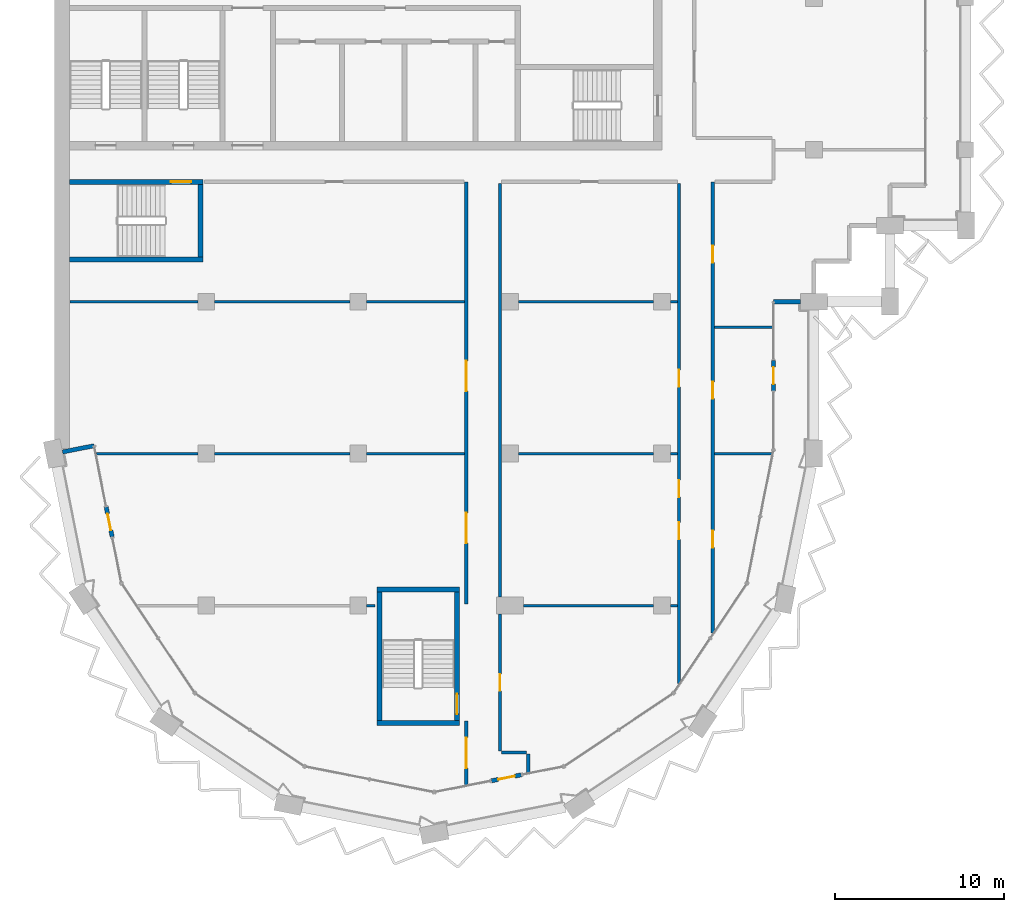
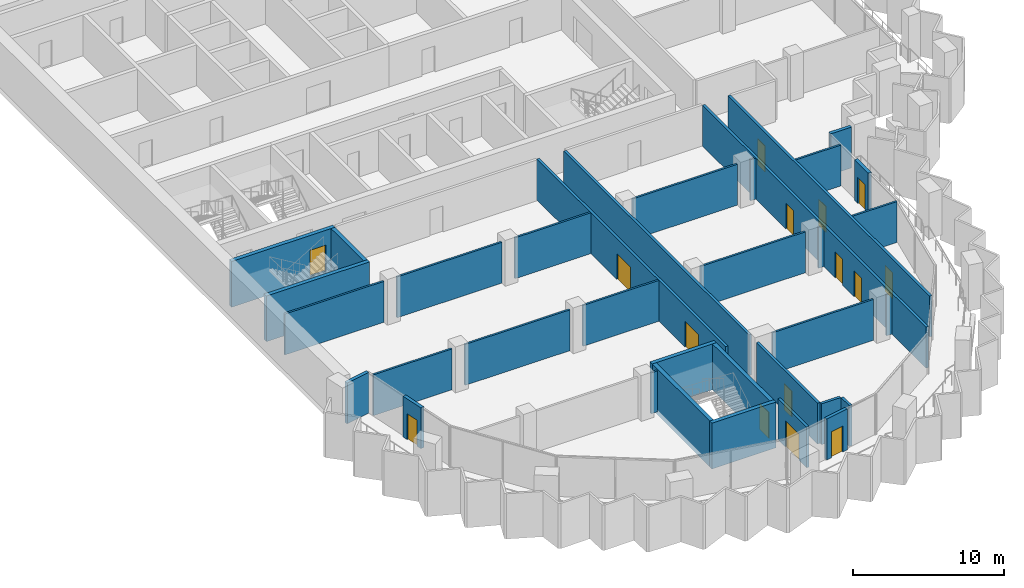
# One storey, part 7 of 16: 35 walls, 15 doors, 15 openings.
"""IFC4 building model written with IfcOpenShell, lengths in metres."""

import ifcopenshell
import ifcopenshell.guid

model = None  # the IFC model being written
_history = None  # IfcOwnerHistory: only IFC2X3 demands one
_inside = {}  # id of a spatial element -> (the spatial element, [elements in it])
_under = {}  # id of a project, library or spatial element -> (it, [spatial elements below it])
_declared = {}  # id of a project -> (the project, [libraries it declares])
_typed = {}  # id of a type object -> (the type object, [elements of that type])
_made_of = {}  # id of a material, layer set ... -> (it, [elements and type objects made of it])


def new_model(schema):
    """Start an empty IFC model of exactly this schema.

    Asked for "IFC4X3", IfcOpenShell would pick the latest addendum, in which some entities
    have other attributes; the version numbers below select the first issue.
    IFC2X3 requires an IfcOwnerHistory on every rooted entity: one is made here for all.
    """
    global model, _history
    if schema == "IFC4X3":
        model = ifcopenshell.file(schema_version=(4, 3, 0, 0))
    else:
        model = ifcopenshell.file(schema=schema)
    _inside.clear()
    _under.clear()
    _declared.clear()
    _typed.clear()
    _made_of.clear()
    _history = None
    if model.schema == "IFC2X3":
        org = make("IfcOrganization", Name="unknown")
        user = make(
            "IfcPersonAndOrganization",
            ThePerson=make("IfcPerson", FamilyName="unknown"),
            TheOrganization=org,
        )
        app = make(
            "IfcApplication",
            ApplicationDeveloper=org,
            Version="unknown",
            ApplicationFullName="unknown",
            ApplicationIdentifier="unknown",
        )
        _history = make(
            "IfcOwnerHistory",
            OwningUser=user,
            OwningApplication=app,
            ChangeAction="ADDED",
            CreationDate=0,
        )
    return model


def make(cls, **values):
    """One entity of the class cls with the attributes given. An attribute that is None is left unset."""
    return model.create_entity(
        cls, **{name: value for name, value in values.items() if value is not None}
    )


def rooted(cls, **values):
    """An entity with a GlobalId (a new one), such as an element, a storey or a relation."""
    return make(cls, GlobalId=ifcopenshell.guid.new(), OwnerHistory=_history, **values)


def si_unit(unit_type, name, prefix=None):
    """IfcSIUnit, for example si_unit("LENGTHUNIT", "METRE", prefix="MILLI")."""
    return make("IfcSIUnit", UnitType=unit_type, Prefix=prefix, Name=name)


def assignment(units):
    """IfcUnitAssignment: the units of a project."""
    return None if units is None else make("IfcUnitAssignment", Units=units)


def point(xyz):
    """IfcCartesianPoint."""
    return None if xyz is None else make("IfcCartesianPoint", Coordinates=xyz)


def direction(xyz):
    """IfcDirection."""
    return None if xyz is None else make("IfcDirection", DirectionRatios=xyz)


def frame(location, z_axis=None, x_axis=None):
    """IfcAxis2Placement3D, a coordinate frame: its origin and axes. An axis left out is left unset."""
    return make(
        "IfcAxis2Placement3D",
        Location=point(location),
        Axis=direction(z_axis),
        RefDirection=direction(x_axis),
    )


def frame_2d(location, x_axis=None):
    """IfcAxis2Placement2D, a coordinate frame in the plane: its origin and x axis."""
    return make(
        "IfcAxis2Placement2D", Location=point(location), RefDirection=direction(x_axis)
    )


def origin():
    """The frame at (0, 0, 0) with its axes left unset."""
    return frame((0.0, 0.0, 0.0))


def place(relative_to, where):
    """IfcLocalPlacement: puts the frame where relative to a parent placement (None: the world)."""
    return make(
        "IfcLocalPlacement", PlacementRelTo=relative_to, RelativePlacement=where
    )


def context(
    kind, dimensions, precision=None, world=None, true_north=None, identifier=None
):
    """IfcGeometricRepresentationContext, for example the 3D "Model" context."""
    return make(
        "IfcGeometricRepresentationContext",
        ContextIdentifier=identifier,
        ContextType=kind,
        CoordinateSpaceDimension=dimensions,
        Precision=precision,
        WorldCoordinateSystem=world,
        TrueNorth=true_north,
    )


def subcontext(parent, identifier, kind, view, scale=None):
    """IfcGeometricRepresentationSubContext, for example "Body" below "Model"."""
    return make(
        "IfcGeometricRepresentationSubContext",
        ContextIdentifier=identifier,
        ContextType=kind,
        ParentContext=parent,
        TargetScale=scale,
        TargetView=view,
    )


def project(units=None, contexts=None):
    """IfcProject with its units and contexts."""
    return rooted(
        "IfcProject",
        Name="project",
        RepresentationContexts=contexts,
        UnitsInContext=assignment(units),
    )


def spatial(cls, under=None, at=None, **own):
    """A site, building, storey or space (cls), placed at a placement, below another one or the project."""
    s = rooted(cls, ObjectPlacement=at, **own)
    if under is not None:
        _under.setdefault(under.id(), (under, []))[1].append(s)
    return s


def profile(cls, at=None, kind="AREA", **sizes):
    """A parametric profile (cls). Its sizes go by their IFC names, for example OverallWidth=200.0."""
    return make(cls, ProfileType=kind, Position=at, **sizes)


def rectangle(**sizes):
    """IfcRectangleProfileDef."""
    return profile("IfcRectangleProfileDef", **sizes)


def extrude(swept, where, along, depth):
    """IfcExtrudedAreaSolid: the profile swept, set in the frame where, extruded along a direction by depth."""
    return make(
        "IfcExtrudedAreaSolid",
        SweptArea=swept,
        Position=where,
        ExtrudedDirection=direction(along),
        Depth=depth,
    )


def shape(context_of_items, identifier, shape_type, items):
    """IfcShapeRepresentation: the items that make up one representation, for example the "Body"."""
    return make(
        "IfcShapeRepresentation",
        ContextOfItems=context_of_items,
        RepresentationIdentifier=identifier,
        RepresentationType=shape_type,
        Items=items,
    )


def material(Name=None, Category=None):
    """IfcMaterial."""
    return make("IfcMaterial", Name=Name, Category=Category)


def layer(
    of_material, thickness, ventilated=None, Name=None, Category=None, Priority=None
):
    """IfcMaterialLayer: one layer of a wall or slab, of a material (None: an air gap)."""
    return make(
        "IfcMaterialLayer",
        Material=of_material,
        LayerThickness=thickness,
        IsVentilated=ventilated,
        Name=Name,
        Category=Category,
        Priority=Priority,
    )


def layer_set(layers, Name=None):
    """IfcMaterialLayerSet."""
    return make("IfcMaterialLayerSet", MaterialLayers=layers, LayerSetName=Name)


def made_of(thing, what):
    """Note that an element or type object is made of a material, layer set ...; save() writes the relation."""
    if what is not None:
        _made_of.setdefault(what.id(), (what, []))[1].append(thing)
    return thing


def type_object(cls, material=None, **own):
    """A type object (cls), such as IfcWallType, which elements share."""
    return made_of(rooted(cls, **own), material)


def element(
    cls,
    number,
    at=None,
    inside=None,
    cuts=None,
    type_object=None,
    material=None,
    context=None,
    identifier="Body",
    shape_type=None,
    held_by="IfcProductDefinitionShape",
    body=None,
    shapes=None,
    **own,
):
    """One element of the class cls, such as IfcWall. Its Tag is "e" and its number.

    at: its placement. inside: the storey or other place that contains it. cuts: it is an
    opening in that element (IfcRelVoidsElement). A single representation is given by context,
    identifier, shape_type and body (its items); several are given by shapes. held_by: the class
    of the entity that holds the representations. save() writes the other relations.
    """
    e = rooted(cls, Tag="e%d" % number, ObjectPlacement=at, **own)
    if body is not None:
        shapes = [shape(context, identifier, shape_type, body)]
    if shapes is not None:
        e.Representation = make(held_by, Representations=shapes)
    if inside is not None:
        _inside.setdefault(inside.id(), (inside, []))[1].append(e)
    if cuts is not None:
        rooted(
            "IfcRelVoidsElement", RelatingBuildingElement=cuts, RelatedOpeningElement=e
        )
    if type_object is not None:
        _typed.setdefault(type_object.id(), (type_object, []))[1].append(e)
    return made_of(e, material)


def fill(opening, filler):
    """IfcRelFillsElement: the door or window that sits in an opening."""
    return rooted(
        "IfcRelFillsElement",
        RelatingOpeningElement=opening,
        RelatedBuildingElement=filler,
    )


def aggregate(whole, parts):
    """IfcRelAggregates: a whole, such as a stair, and the parts it consists of."""
    return rooted("IfcRelAggregates", RelatingObject=whole, RelatedObjects=parts)


def save(model, path):
    """Write the relations noted so far, then the file.

    IfcRelAggregates (storeys below a building ...), IfcRelContainedInSpatialStructure (elements
    in a storey), IfcRelDefinesByType, IfcRelAssociatesMaterial and IfcRelDeclares: one each for
    every whole, place, type object, material and project.
    """
    for whole, parts in _under.values():
        aggregate(whole, parts)
    for where, things in _inside.values():
        rooted(
            "IfcRelContainedInSpatialStructure",
            RelatedElements=things,
            RelatingStructure=where,
        )
    for kind, things in _typed.values():
        rooted("IfcRelDefinesByType", RelatedObjects=things, RelatingType=kind)
    for what, things in _made_of.values():
        rooted("IfcRelAssociatesMaterial", RelatedObjects=things, RelatingMaterial=what)
    for by, libraries in _declared.values():
        rooted("IfcRelDeclares", RelatingContext=by, RelatedDefinitions=libraries)
    model.write(path)


model = new_model("IFC4")

# Units and contexts
model_context = context("Model", 3, precision=1e-05, world=origin(), true_north=direction((0.0, 1.0)))
body_context = subcontext(model_context, "Body", "Model", "MODEL_VIEW")
ifc_project = project(units=[si_unit("LENGTHUNIT", "METRE"), si_unit("AREAUNIT", "SQUARE_METRE"), si_unit("VOLUMEUNIT", "CUBIC_METRE"), si_unit("PLANEANGLEUNIT", "RADIAN"), si_unit("MASSUNIT", "GRAM", prefix="KILO")], contexts=[model_context])

# Site, building, storey
site_placement = place(None, origin())
site = spatial("IfcSite", under=ifc_project, at=site_placement, CompositionType="ELEMENT")
building_placement = place(site_placement, origin())
building = spatial("IfcBuilding", under=site, at=building_placement, Name="Hunhe Ridgeline Campus", CompositionType="ELEMENT")
storey_placement = place(building_placement, frame((0.0, 0.0, 235.5)))
storey = spatial("IfcBuildingStorey", under=building, at=storey_placement, Name="L60", CompositionType="ELEMENT", Elevation=235.5)

# Walls
ifc_material_1 = material(Name="Concrete C30", Category="concrete")
ifc_layer_1 = layer(ifc_material_1, 0.25)
ifc_layer_set_1 = layer_set([ifc_layer_1], Name="Corner return wall 250 Concrete C30")
wall_type_1 = type_object("IfcWallType", Name="Corner return wall 250 Concrete C30", PredefinedType="SOLIDWALL", material=ifc_layer_set_1)
wall_1_placement = place(storey_placement, frame((0.490234375, 45.098388671875, 0.0), z_axis=(0.0, 0.0, 1.0), x_axis=(0.980836699013, 0.194831644939, 0.0)))
element("IfcWall", 1, at=wall_1_placement, inside=storey, type_object=wall_type_1, Name="Corner return wall 1", PredefinedType="SOLIDWALL", context=body_context, shape_type="SweptSolid", body=[
    extrude(rectangle(XDim=1.90087890625, YDim=0.25, at=frame_2d((0.950439453125, 0.0))), origin(), (0.0, 0.0, 1.0), 3.300048828125),
])
wall_2_placement = place(storey_placement, frame((42.59912109375, 54.00048828125, 0.0), z_axis=(0.0, 0.0, 1.0), x_axis=(0.999999988371, 0.000152508767, 0.0)))
element("IfcWall", 2, at=wall_2_placement, inside=storey, type_object=wall_type_1, Name="Corner return wall 2", PredefinedType="SOLIDWALL", context=body_context, shape_type="SweptSolid", body=[
    extrude(rectangle(XDim=1.600830078125, YDim=0.25, at=frame_2d((0.80029296875, 0.0))), origin(), (0.0, 0.0, 1.0), 3.300048828125),
])
ifc_material_2 = material(Name="Gypsum board partition")
ifc_layer_2 = layer(ifc_material_2, 0.199951171875)
ifc_layer_set_2 = layer_set([ifc_layer_2], Name="Corridor partition 200 gypsum board on steel studs")
wall_type_2 = type_object("IfcWallType", Name="Corridor partition 200 gypsum board on steel studs", PredefinedType="PARTITIONING", material=ifc_layer_set_2)
wall_3_placement = place(storey_placement, frame((26.5, 27.299072265625, 0.0), z_axis=(0.0, 0.0, 1.0), x_axis=(1.0, 0.0, 0.0)))
element("IfcWall", 3, at=wall_3_placement, inside=storey, type_object=wall_type_2, Name="F-L60-wall-001", PredefinedType="PARTITIONING", context=body_context, shape_type="SweptSolid", body=[
    extrude(rectangle(XDim=1.47802734375, YDim=0.199951171875, at=frame_2d((0.739013671875, 0.0))), origin(), (0.0, 0.0, 1.0), 3.300048828125),
])

# Wall, opening, door
wall_4_placement = place(storey_placement, frame((24.39990234375, 25.381103515625, 0.0), z_axis=(0.0, 0.0, 1.0), x_axis=(0.0, 1.0, 0.0)))
wall_4 = element("IfcWall", 4, at=wall_4_placement, inside=storey, type_object=wall_type_2, Name="F-L60-wall-032", PredefinedType="PARTITIONING", context=body_context, shape_type="SweptSolid", body=[
    extrude(rectangle(XDim=3.7939453125, YDim=0.199951171875, at=frame_2d((1.89697265625, 0.0))), origin(), (0.0, 0.0, 1.0), 3.300048828125),
])
opening_1_placement = place(wall_4_placement, frame((0.9970703125, 0.0, 0.0)))
opening_1 = element("IfcOpeningElement", 5, at=opening_1_placement, cuts=wall_4, Name="Opening RD2-001", PredefinedType="OPENING", context=body_context, shape_type="SweptSolid", body=[
    extrude(rectangle(XDim=1.800048828125, YDim=2.10009765625, at=frame_2d((0.89990234375, 1.050048828125))), frame((0.0, 0.10009765625, 0.0), z_axis=(0.0, -1.0, 0.0), x_axis=(1.0, 0.0, 0.0)), (0.0, 0.0, 1.0), 0.199951171875),
])
ifc_material_3 = material(Name="Timber door leaf", Category="wood")
door_type_1 = type_object("IfcDoorType", Name="Double fire door 1800x2100 timber FD60", OperationType="DOUBLE_DOOR_SINGLE_SWING", PredefinedType="DOOR", material=ifc_material_3)
door_1_placement = place(opening_1_placement, origin())
door_1 = element("IfcDoor", 6, at=door_1_placement, inside=storey, type_object=door_type_1, Name="F-L60-door-001", OperationType="DOUBLE_DOOR_SINGLE_SWING", OverallHeight=2.10009765625, OverallWidth=1.800048828125, PredefinedType="DOOR", context=body_context, shape_type="SweptSolid", body=[
    extrude(rectangle(XDim=1.800048828125, YDim=2.10009765625, at=frame_2d((0.89990234375, 1.050048828125))), frame((0.0, 0.02490234375, 0.0), z_axis=(0.0, -1.0, 0.0), x_axis=(1.0, 0.0, 0.0)), (0.0, 0.0, 1.0), 0.050048828125),
])
fill(opening_1, door_1)

# Wall, openings, doors
wall_5_placement = place(storey_placement, frame((24.39990234375, 36.10009765625, 0.0), z_axis=(0.0, 0.0, 1.0), x_axis=(0.0, 1.0, 0.0)))
wall_5 = element("IfcWall", 7, at=wall_5_placement, inside=storey, type_object=wall_type_2, Name="F-L60-wall-033", PredefinedType="PARTITIONING", context=body_context, shape_type="SweptSolid", body=[
    extrude(rectangle(XDim=25.0, YDim=0.199951171875, at=frame_2d((12.5, 0.0))), origin(), (0.0, 0.0, 1.0), 3.300048828125),
])
opening_2_placement = place(wall_5_placement, frame((3.60009765625, 0.0, 0.0)))
opening_2 = element("IfcOpeningElement", 8, at=opening_2_placement, cuts=wall_5, Name="Opening RD2-005", PredefinedType="OPENING", context=body_context, shape_type="SweptSolid", body=[
    extrude(rectangle(XDim=1.800048828125, YDim=2.10009765625, at=frame_2d((0.89990234375, 1.050048828125))), frame((0.0, 0.10009765625, 0.0), z_axis=(0.0, -1.0, 0.0), x_axis=(1.0, 0.0, 0.0)), (0.0, 0.0, 1.0), 0.199951171875),
])
opening_3_placement = place(wall_5_placement, frame((12.60009765625, 0.0, 0.0)))
opening_3 = element("IfcOpeningElement", 9, at=opening_3_placement, cuts=wall_5, Name="Opening RD2-009", PredefinedType="OPENING", context=body_context, shape_type="SweptSolid", body=[
    extrude(rectangle(XDim=1.800048828125, YDim=2.10009765625, at=frame_2d((0.89990234375, 1.050048828125))), frame((0.0, 0.10009765625, 0.0), z_axis=(0.0, -1.0, 0.0), x_axis=(1.0, 0.0, 0.0)), (0.0, 0.0, 1.0), 0.199951171875),
])
door_2_placement = place(opening_2_placement, origin())
door_2 = element("IfcDoor", 10, at=door_2_placement, inside=storey, type_object=door_type_1, Name="F-L60-door-005", OperationType="DOUBLE_DOOR_SINGLE_SWING", OverallHeight=2.10009765625, OverallWidth=1.800048828125, PredefinedType="DOOR", context=body_context, shape_type="SweptSolid", body=[
    extrude(rectangle(XDim=1.800048828125, YDim=2.10009765625, at=frame_2d((0.89990234375, 1.050048828125))), frame((0.0, 0.02490234375, 0.0), z_axis=(0.0, -1.0, 0.0), x_axis=(1.0, 0.0, 0.0)), (0.0, 0.0, 1.0), 0.050048828125),
])
fill(opening_2, door_2)
door_3_placement = place(opening_3_placement, origin())
door_3 = element("IfcDoor", 11, at=door_3_placement, inside=storey, type_object=door_type_1, Name="F-L60-door-009", OperationType="DOUBLE_DOOR_SINGLE_SWING", OverallHeight=2.10009765625, OverallWidth=1.800048828125, PredefinedType="DOOR", context=body_context, shape_type="SweptSolid", body=[
    extrude(rectangle(XDim=1.800048828125, YDim=2.10009765625, at=frame_2d((0.89990234375, 1.050048828125))), frame((0.0, 0.02490234375, 0.0), z_axis=(0.0, -1.0, 0.0), x_axis=(1.0, 0.0, 0.0)), (0.0, 0.0, 1.0), 0.050048828125),
])
fill(opening_3, door_3)

# Wall, opening, door
wall_6_placement = place(storey_placement, frame((26.39990234375, 35.5, 0.0), z_axis=(0.0, 0.0, 1.0), x_axis=(0.0, -1.0, 0.0)))
wall_6 = element("IfcWall", 12, at=wall_6_placement, inside=storey, type_object=wall_type_2, Name="F-L60-wall-034", PredefinedType="PARTITIONING", context=body_context, shape_type="SweptSolid", body=[
    extrude(rectangle(XDim=8.10107421875, YDim=0.199951171875, at=frame_2d((4.050537109375, 0.0))), origin(), (0.0, 0.0, 1.0), 3.300048828125),
])
opening_4_placement = place(wall_6_placement, frame((3.550537109375, 0.0, 0.0)))
opening_4 = element("IfcOpeningElement", 13, at=opening_4_placement, cuts=wall_6, Name="Opening RD1-002", PredefinedType="OPENING", context=body_context, shape_type="SweptSolid", body=[
    extrude(rectangle(XDim=1.0, YDim=2.10009765625, at=frame_2d((0.5, 1.050048828125))), frame((0.0, 0.10009765625, 0.0), z_axis=(0.0, -1.0, 0.0), x_axis=(1.0, 0.0, 0.0)), (0.0, 0.0, 1.0), 0.199951171875),
])
door_type_2 = type_object("IfcDoorType", Name="Single fire door 1000x2100 timber FD60", OperationType="NOTDEFINED", PredefinedType="DOOR", material=ifc_material_3)
door_4_placement = place(opening_4_placement, origin())
door_4 = element("IfcDoor", 14, at=door_4_placement, inside=storey, type_object=door_type_2, Name="F-L60-door-002", OperationType="SINGLE_SWING_LEFT", OverallHeight=2.10009765625, OverallWidth=1.0, PredefinedType="DOOR", context=body_context, shape_type="SweptSolid", body=[
    extrude(rectangle(XDim=1.0, YDim=2.10009765625, at=frame_2d((0.5, 1.050048828125))), frame((0.0, 0.02490234375, 0.0), z_axis=(0.0, -1.0, 0.0), x_axis=(1.0, 0.0, 0.0)), (0.0, 0.0, 1.0), 0.050048828125),
])
fill(opening_4, door_4)

# Walls
wall_7_placement = place(storey_placement, frame((26.39990234375, 61.0, 0.0), z_axis=(0.0, 0.0, 1.0), x_axis=(0.0, -1.0, 0.0)))
element("IfcWall", 15, at=wall_7_placement, inside=storey, type_object=wall_type_2, Name="F-L60-wall-035", PredefinedType="PARTITIONING", context=body_context, shape_type="SweptSolid", body=[
    extrude(rectangle(XDim=24.5, YDim=0.199951171875, at=frame_2d((12.25, 0.0))), origin(), (0.0, 0.0, 1.0), 3.300048828125),
])
wall_8_placement = place(storey_placement, frame((28.077880859375, 27.198974609375, 0.0), z_axis=(0.0, 0.0, 1.0), x_axis=(0.0, -1.0, 0.0)))
element("IfcWall", 16, at=wall_8_placement, inside=storey, type_object=wall_type_2, Name="F-L60-wall-036", PredefinedType="PARTITIONING", context=body_context, shape_type="SweptSolid", body=[
    extrude(rectangle(XDim=1.08642578125, YDim=0.199951171875, at=frame_2d((0.543212890625, 0.0))), origin(), (0.0, 0.0, 1.0), 3.300048828125),
])

# Wall, openings, doors
wall_9_placement = place(storey_placement, frame((37.0, 31.39892578125, 0.0), z_axis=(0.0, 0.0, 1.0), x_axis=(0.0, 1.0, 0.0)))
wall_9 = element("IfcWall", 17, at=wall_9_placement, inside=storey, type_object=wall_type_2, Name="F-L60-wall-037", PredefinedType="PARTITIONING", context=body_context, shape_type="SweptSolid", body=[
    extrude(rectangle(XDim=29.60107421875, YDim=0.199951171875, at=frame_2d((14.800537109375, 0.0))), origin(), (0.0, 0.0, 1.0), 3.300048828125),
])
opening_5_placement = place(wall_9_placement, frame((8.53076171875, 0.0, 0.0)))
opening_5 = element("IfcOpeningElement", 18, at=opening_5_placement, cuts=wall_9, Name="Opening RD1-004", PredefinedType="OPENING", context=body_context, shape_type="SweptSolid", body=[
    extrude(rectangle(XDim=1.0, YDim=2.10009765625, at=frame_2d((0.5, 1.050048828125))), frame((0.0, 0.10009765625, 0.0), z_axis=(0.0, -1.0, 0.0), x_axis=(1.0, 0.0, 0.0)), (0.0, 0.0, 1.0), 0.199951171875),
])
opening_6_placement = place(wall_9_placement, frame((11.03076171875, 0.0, 0.0)))
opening_6 = element("IfcOpeningElement", 19, at=opening_6_placement, cuts=wall_9, Name="Opening RD1-006", PredefinedType="OPENING", context=body_context, shape_type="SweptSolid", body=[
    extrude(rectangle(XDim=1.0, YDim=2.10009765625, at=frame_2d((0.5, 1.050048828125))), frame((0.0, 0.10009765625, 0.0), z_axis=(0.0, -1.0, 0.0), x_axis=(1.0, 0.0, 0.0)), (0.0, 0.0, 1.0), 0.199951171875),
])
opening_7_placement = place(wall_9_placement, frame((17.561767578125, 0.0, 0.0)))
opening_7 = element("IfcOpeningElement", 20, at=opening_7_placement, cuts=wall_9, Name="Opening RD1-008", PredefinedType="OPENING", context=body_context, shape_type="SweptSolid", body=[
    extrude(rectangle(XDim=1.0, YDim=2.10009765625, at=frame_2d((0.5, 1.050048828125))), frame((0.0, 0.10009765625, 0.0), z_axis=(0.0, -1.0, 0.0), x_axis=(1.0, 0.0, 0.0)), (0.0, 0.0, 1.0), 0.199951171875),
])
door_5_placement = place(opening_5_placement, frame((1.0, 0.0, 0.0), z_axis=(0.0, 0.0, 1.0), x_axis=(-1.0, 0.0, 0.0)))
door_5 = element("IfcDoor", 21, at=door_5_placement, inside=storey, type_object=door_type_2, Name="F-L60-door-004", OperationType="SINGLE_SWING_LEFT", OverallHeight=2.10009765625, OverallWidth=1.0, PredefinedType="DOOR", context=body_context, shape_type="SweptSolid", body=[
    extrude(rectangle(XDim=1.0, YDim=2.10009765625, at=frame_2d((0.5, 1.050048828125))), frame((0.0, 0.02490234375, 0.0), z_axis=(0.0, -1.0, 0.0), x_axis=(1.0, 0.0, 0.0)), (0.0, 0.0, 1.0), 0.050048828125),
])
fill(opening_5, door_5)
door_6_placement = place(opening_6_placement, frame((1.0, 0.0, 0.0), z_axis=(0.0, 0.0, 1.0), x_axis=(-1.0, 0.0, 0.0)))
door_6 = element("IfcDoor", 22, at=door_6_placement, inside=storey, type_object=door_type_2, Name="F-L60-door-006", OperationType="SINGLE_SWING_LEFT", OverallHeight=2.10009765625, OverallWidth=1.0, PredefinedType="DOOR", context=body_context, shape_type="SweptSolid", body=[
    extrude(rectangle(XDim=1.0, YDim=2.10009765625, at=frame_2d((0.5, 1.050048828125))), frame((0.0, 0.02490234375, 0.0), z_axis=(0.0, -1.0, 0.0), x_axis=(1.0, 0.0, 0.0)), (0.0, 0.0, 1.0), 0.050048828125),
])
fill(opening_6, door_6)
door_7_placement = place(opening_7_placement, origin())
door_7 = element("IfcDoor", 23, at=door_7_placement, inside=storey, type_object=door_type_2, Name="F-L60-door-008", OperationType="SINGLE_SWING_RIGHT", OverallHeight=2.10009765625, OverallWidth=1.0, PredefinedType="DOOR", context=body_context, shape_type="SweptSolid", body=[
    extrude(rectangle(XDim=1.0, YDim=2.10009765625, at=frame_2d((0.5, 1.050048828125))), frame((0.0, 0.02490234375, 0.0), z_axis=(0.0, -1.0, 0.0), x_axis=(1.0, 0.0, 0.0)), (0.0, 0.0, 1.0), 0.050048828125),
])
fill(opening_7, door_7)

wall_10_placement = place(storey_placement, frame((39.0, 61.10009765625, 0.0), z_axis=(0.0, 0.0, 1.0), x_axis=(0.0, -1.0, 0.0)))
wall_10 = element("IfcWall", 24, at=wall_10_placement, inside=storey, type_object=wall_type_2, Name="F-L60-wall-040", PredefinedType="PARTITIONING", context=body_context, shape_type="SweptSolid", body=[
    extrude(rectangle(XDim=26.7080078125, YDim=0.199951171875, at=frame_2d((13.35400390625, 0.0))), origin(), (0.0, 0.0, 1.0), 3.300048828125),
])
opening_8_placement = place(wall_10_placement, frame((20.664794921875, 0.0, 0.0)))
opening_8 = element("IfcOpeningElement", 25, at=opening_8_placement, cuts=wall_10, Name="Opening RD1-003", PredefinedType="OPENING", context=body_context, shape_type="SweptSolid", body=[
    extrude(rectangle(XDim=1.0, YDim=2.10009765625, at=frame_2d((0.5, 1.050048828125))), frame((0.0, 0.10009765625, 0.0), z_axis=(0.0, -1.0, 0.0), x_axis=(1.0, 0.0, 0.0)), (0.0, 0.0, 1.0), 0.199951171875),
])
opening_9_placement = place(wall_10_placement, frame((11.84619140625, 0.0, 0.0)))
opening_9 = element("IfcOpeningElement", 26, at=opening_9_placement, cuts=wall_10, Name="Opening RD1-007", PredefinedType="OPENING", context=body_context, shape_type="SweptSolid", body=[
    extrude(rectangle(XDim=1.0, YDim=2.10009765625, at=frame_2d((0.5, 1.050048828125))), frame((0.0, 0.10009765625, 0.0), z_axis=(0.0, -1.0, 0.0), x_axis=(1.0, 0.0, 0.0)), (0.0, 0.0, 1.0), 0.199951171875),
])
opening_10_placement = place(wall_10_placement, frame((3.783203125, 0.0, 0.0)))
opening_10 = element("IfcOpeningElement", 27, at=opening_10_placement, cuts=wall_10, Name="Opening RD1-010", PredefinedType="OPENING", context=body_context, shape_type="SweptSolid", body=[
    extrude(rectangle(XDim=1.0, YDim=2.10009765625, at=frame_2d((0.5, 1.050048828125))), frame((0.0, 0.10009765625, 0.0), z_axis=(0.0, -1.0, 0.0), x_axis=(1.0, 0.0, 0.0)), (0.0, 0.0, 1.0), 0.199951171875),
])
door_8_placement = place(opening_8_placement, origin())
door_8 = element("IfcDoor", 28, at=door_8_placement, inside=storey, type_object=door_type_2, Name="F-L60-door-003", OperationType="SINGLE_SWING_LEFT", OverallHeight=2.10009765625, OverallWidth=1.0, PredefinedType="DOOR", context=body_context, shape_type="SweptSolid", body=[
    extrude(rectangle(XDim=1.0, YDim=2.10009765625, at=frame_2d((0.5, 1.050048828125))), frame((0.0, 0.02490234375, 0.0), z_axis=(0.0, -1.0, 0.0), x_axis=(1.0, 0.0, 0.0)), (0.0, 0.0, 1.0), 0.050048828125),
])
fill(opening_8, door_8)
door_9_placement = place(opening_9_placement, origin())
door_9 = element("IfcDoor", 29, at=door_9_placement, inside=storey, type_object=door_type_2, Name="F-L60-door-007", OperationType="SINGLE_SWING_LEFT", OverallHeight=2.10009765625, OverallWidth=1.0, PredefinedType="DOOR", context=body_context, shape_type="SweptSolid", body=[
    extrude(rectangle(XDim=1.0, YDim=2.10009765625, at=frame_2d((0.5, 1.050048828125))), frame((0.0, 0.02490234375, 0.0), z_axis=(0.0, -1.0, 0.0), x_axis=(1.0, 0.0, 0.0)), (0.0, 0.0, 1.0), 0.050048828125),
])
fill(opening_9, door_9)
door_10_placement = place(opening_10_placement, origin())
door_10 = element("IfcDoor", 30, at=door_10_placement, inside=storey, type_object=door_type_2, Name="F-L60-door-010", OperationType="SINGLE_SWING_RIGHT", OverallHeight=2.10009765625, OverallWidth=1.0, PredefinedType="DOOR", context=body_context, shape_type="SweptSolid", body=[
    extrude(rectangle(XDim=1.0, YDim=2.10009765625, at=frame_2d((0.5, 1.050048828125))), frame((0.0, 0.02490234375, 0.0), z_axis=(0.0, -1.0, 0.0), x_axis=(1.0, 0.0, 0.0)), (0.0, 0.0, 1.0), 0.050048828125),
])
fill(opening_10, door_10)

# Wall, opening, door
ifc_layer_3 = layer(ifc_material_1, 0.25)
ifc_layer_set_3 = layer_set([ifc_layer_3], Name="Loggia door pier wall 250 Concrete C30")
wall_type_3 = type_object("IfcWallType", Name="Loggia door pier wall 250 Concrete C30", PredefinedType="SOLIDWALL", material=ifc_layer_set_3)
wall_11_placement = place(storey_placement, frame((3.076904296875, 41.8388671875, 0.0), z_axis=(0.0, 0.0, 1.0), x_axis=(0.195046569833, -0.980793982239, 0.0)))
wall_11 = element("IfcWall", 31, at=wall_11_placement, inside=storey, type_object=wall_type_3, Name="Loggia door pier 1", PredefinedType="SOLIDWALL", context=body_context, shape_type="SweptSolid", body=[
    extrude(rectangle(XDim=1.800048828125, YDim=0.25, at=frame_2d((0.89990234375, 0.0))), origin(), (0.0, 0.0, 1.0), 3.300048828125),
])
opening_11_placement = place(wall_11_placement, frame((0.39990234375, 0.0, 0.0)))
opening_11 = element("IfcOpeningElement", 32, at=opening_11_placement, cuts=wall_11, Name="Opening BD501", PredefinedType="OPENING", context=body_context, shape_type="SweptSolid", body=[
    extrude(rectangle(XDim=1.0, YDim=2.10009765625, at=frame_2d((0.5, 1.050048828125))), frame((0.0, 0.125, 0.0), z_axis=(0.0, -1.0, 0.0), x_axis=(1.0, 0.0, 0.0)), (0.0, 0.0, 1.0), 0.25),
])
ifc_material_4 = material(Name="Aluminium 6063", Category="aluminium")
door_type_3 = type_object("IfcDoorType", Name="Loggia glazed door 1000x2100", OperationType="NOTDEFINED", PredefinedType="DOOR", material=ifc_material_4)
door_11_placement = place(opening_11_placement, frame((1.0, 0.0, 0.0), z_axis=(0.0, 0.0, 1.0), x_axis=(-1.0, 0.0, 0.0)))
door_11 = element("IfcDoor", 33, at=door_11_placement, inside=storey, type_object=door_type_3, Name="Loggia door BD501", OperationType="SINGLE_SWING_RIGHT", OverallHeight=2.10009765625, OverallWidth=1.0, PredefinedType="DOOR", context=body_context, shape_type="SweptSolid", body=[
    extrude(rectangle(XDim=1.0, YDim=2.10009765625, at=frame_2d((0.5, 1.050048828125))), frame((0.0, 0.02490234375, 0.0), z_axis=(0.0, -1.0, 0.0), x_axis=(1.0, 0.0, 0.0)), (0.0, 0.0, 1.0), 0.050048828125),
])
fill(opening_11, door_11)

wall_12_placement = place(storey_placement, frame((25.8955078125, 25.62353515625, 0.0), z_axis=(0.0, 0.0, 1.0), x_axis=(0.980793982239, 0.195046569833, 0.0)))
wall_12 = element("IfcWall", 34, at=wall_12_placement, inside=storey, type_object=wall_type_3, Name="Loggia door pier 2", PredefinedType="SOLIDWALL", context=body_context, shape_type="SweptSolid", body=[
    extrude(rectangle(XDim=1.800048828125, YDim=0.25, at=frame_2d((0.89990234375, 0.0))), origin(), (0.0, 0.0, 1.0), 3.300048828125),
])
opening_12_placement = place(wall_12_placement, frame((0.39990234375, 0.0, 0.0)))
opening_12 = element("IfcOpeningElement", 35, at=opening_12_placement, cuts=wall_12, Name="Opening BD503", PredefinedType="OPENING", context=body_context, shape_type="SweptSolid", body=[
    extrude(rectangle(XDim=1.0, YDim=2.10009765625, at=frame_2d((0.5, 1.050048828125))), frame((0.0, 0.125, 0.0), z_axis=(0.0, -1.0, 0.0), x_axis=(1.0, 0.0, 0.0)), (0.0, 0.0, 1.0), 0.25),
])
door_12_placement = place(opening_12_placement, frame((1.0, 0.0, 0.0), z_axis=(0.0, 0.0, 1.0), x_axis=(-1.0, 0.0, 0.0)))
door_12 = element("IfcDoor", 36, at=door_12_placement, inside=storey, type_object=door_type_3, Name="Loggia door BD503", OperationType="SINGLE_SWING_RIGHT", OverallHeight=2.10009765625, OverallWidth=1.0, PredefinedType="DOOR", context=body_context, shape_type="SweptSolid", body=[
    extrude(rectangle(XDim=1.0, YDim=2.10009765625, at=frame_2d((0.5, 1.050048828125))), frame((0.0, 0.02490234375, 0.0), z_axis=(0.0, -1.0, 0.0), x_axis=(1.0, 0.0, 0.0)), (0.0, 0.0, 1.0), 0.050048828125),
])
fill(opening_12, door_12)

wall_13_placement = place(storey_placement, frame((42.59912109375, 48.718505859375, 0.0), z_axis=(0.0, 0.0, 1.0), x_axis=(0.0, 1.0, 0.0)))
wall_13 = element("IfcWall", 37, at=wall_13_placement, inside=storey, type_object=wall_type_3, Name="Loggia door pier 3", PredefinedType="SOLIDWALL", context=body_context, shape_type="SweptSolid", body=[
    extrude(rectangle(XDim=1.800048828125, YDim=0.25, at=frame_2d((0.89990234375, 0.0))), origin(), (0.0, 0.0, 1.0), 3.300048828125),
])
opening_13_placement = place(wall_13_placement, frame((0.39990234375, 0.0, 0.0)))
opening_13 = element("IfcOpeningElement", 38, at=opening_13_placement, cuts=wall_13, Name="Opening BD505", PredefinedType="OPENING", context=body_context, shape_type="SweptSolid", body=[
    extrude(rectangle(XDim=1.0, YDim=2.10009765625, at=frame_2d((0.5, 1.050048828125))), frame((0.0, 0.125, 0.0), z_axis=(0.0, -1.0, 0.0), x_axis=(1.0, 0.0, 0.0)), (0.0, 0.0, 1.0), 0.25),
])
door_13_placement = place(opening_13_placement, frame((1.0, 0.0, 0.0), z_axis=(0.0, 0.0, 1.0), x_axis=(-1.0, 0.0, 0.0)))
door_13 = element("IfcDoor", 39, at=door_13_placement, inside=storey, type_object=door_type_3, Name="Loggia door BD505", OperationType="SINGLE_SWING_RIGHT", OverallHeight=2.10009765625, OverallWidth=1.0, PredefinedType="DOOR", context=body_context, shape_type="SweptSolid", body=[
    extrude(rectangle(XDim=1.0, YDim=2.10009765625, at=frame_2d((0.5, 1.050048828125))), frame((0.0, 0.02490234375, 0.0), z_axis=(0.0, -1.0, 0.0), x_axis=(1.0, 0.0, 0.0)), (0.0, 0.0, 1.0), 0.050048828125),
])
fill(opening_13, door_13)

# Walls
ifc_layer_4 = layer(ifc_material_2, 0.14990234375)
ifc_layer_set_4 = layer_set([ifc_layer_4], Name="Room partition 150 gypsum board on steel studs")
wall_type_4 = type_object("IfcWallType", Name="Room partition 150 gypsum board on steel studs", PredefinedType="PARTITIONING", material=ifc_layer_set_4)
wall_14_placement = place(storey_placement, frame((18.5, 36.0, 0.0), z_axis=(0.0, 0.0, 1.0), x_axis=(1.0, 0.0, 0.0)))
element("IfcWall", 40, at=wall_14_placement, inside=storey, type_object=wall_type_4, Name="F-L60-wall-004", PredefinedType="PARTITIONING", context=body_context, shape_type="SweptSolid", body=[
    extrude(rectangle(XDim=0.49609375, YDim=0.14990234375, at=frame_2d((0.248046875, 0.0))), origin(), (0.0, 0.0, 1.0), 3.300048828125),
])
wall_15_placement = place(storey_placement, frame((27.800048828125, 36.0, 0.0), z_axis=(0.0, 0.0, 1.0), x_axis=(1.0, 0.0, 0.0)))
element("IfcWall", 41, at=wall_15_placement, inside=storey, type_object=wall_type_4, Name="F-L60-wall-005", PredefinedType="PARTITIONING", context=body_context, shape_type="SweptSolid", body=[
    extrude(rectangle(XDim=7.699951171875, YDim=0.14990234375, at=frame_2d((3.85009765625, 0.0))), origin(), (0.0, 0.0, 1.0), 3.300048828125),
])
wall_16_placement = place(storey_placement, frame((36.5, 36.0, 0.0), z_axis=(0.0, 0.0, 1.0), x_axis=(1.0, 0.0, 0.0)))
element("IfcWall", 42, at=wall_16_placement, inside=storey, type_object=wall_type_4, Name="F-L60-wall-006", PredefinedType="PARTITIONING", context=body_context, shape_type="SweptSolid", body=[
    extrude(rectangle(XDim=0.39990234375, YDim=0.14990234375, at=frame_2d((0.199951171875, 0.0))), origin(), (0.0, 0.0, 1.0), 3.300048828125),
])
wall_17_placement = place(storey_placement, frame((2.503173828125, 45.0, 0.0), z_axis=(0.0, 0.0, 1.0), x_axis=(1.0, 0.0, 0.0)))
element("IfcWall", 43, at=wall_17_placement, inside=storey, type_object=wall_type_4, Name="F-L60-wall-007", PredefinedType="PARTITIONING", context=body_context, shape_type="SweptSolid", body=[
    extrude(rectangle(XDim=5.996826171875, YDim=0.14990234375, at=frame_2d((2.99853515625, 0.0))), origin(), (0.0, 0.0, 1.0), 3.300048828125),
])
wall_18_placement = place(storey_placement, frame((9.5, 45.0, 0.0), z_axis=(0.0, 0.0, 1.0), x_axis=(1.0, 0.0, 0.0)))
element("IfcWall", 44, at=wall_18_placement, inside=storey, type_object=wall_type_4, Name="F-L60-wall-008", PredefinedType="PARTITIONING", context=body_context, shape_type="SweptSolid", body=[
    extrude(rectangle(XDim=8.0, YDim=0.14990234375, at=frame_2d((4.0, 0.0))), origin(), (0.0, 0.0, 1.0), 3.300048828125),
])
wall_19_placement = place(storey_placement, frame((18.5, 45.0, 0.0), z_axis=(0.0, 0.0, 1.0), x_axis=(1.0, 0.0, 0.0)))
element("IfcWall", 45, at=wall_19_placement, inside=storey, type_object=wall_type_4, Name="F-L60-wall-009", PredefinedType="PARTITIONING", context=body_context, shape_type="SweptSolid", body=[
    extrude(rectangle(XDim=5.800048828125, YDim=0.14990234375, at=frame_2d((2.89990234375, 0.0))), origin(), (0.0, 0.0, 1.0), 3.300048828125),
])
wall_20_placement = place(storey_placement, frame((27.5, 45.0, 0.0), z_axis=(0.0, 0.0, 1.0), x_axis=(1.0, 0.0, 0.0)))
element("IfcWall", 46, at=wall_20_placement, inside=storey, type_object=wall_type_4, Name="F-L60-wall-010", PredefinedType="PARTITIONING", context=body_context, shape_type="SweptSolid", body=[
    extrude(rectangle(XDim=8.0, YDim=0.14990234375, at=frame_2d((4.0, 0.0))), origin(), (0.0, 0.0, 1.0), 3.300048828125),
])
wall_21_placement = place(storey_placement, frame((36.5, 45.0, 0.0), z_axis=(0.0, 0.0, 1.0), x_axis=(1.0, 0.0, 0.0)))
element("IfcWall", 47, at=wall_21_placement, inside=storey, type_object=wall_type_4, Name="F-L60-wall-011", PredefinedType="PARTITIONING", context=body_context, shape_type="SweptSolid", body=[
    extrude(rectangle(XDim=0.39990234375, YDim=0.14990234375, at=frame_2d((0.199951171875, 0.0))), origin(), (0.0, 0.0, 1.0), 3.300048828125),
])
wall_22_placement = place(storey_placement, frame((39.10009765625, 45.0, 0.0), z_axis=(0.0, 0.0, 1.0), x_axis=(1.0, 0.0, 0.0)))
element("IfcWall", 48, at=wall_22_placement, inside=storey, type_object=wall_type_4, Name="F-L60-wall-012", PredefinedType="PARTITIONING", context=body_context, shape_type="SweptSolid", body=[
    extrude(rectangle(XDim=3.396728515625, YDim=0.14990234375, at=frame_2d((1.6982421875, 0.0))), origin(), (0.0, 0.0, 1.0), 3.300048828125),
])
wall_23_placement = place(storey_placement, frame((39.10009765625, 52.5, 0.0), z_axis=(0.0, 0.0, 1.0), x_axis=(1.0, 0.0, 0.0)))
element("IfcWall", 49, at=wall_23_placement, inside=storey, type_object=wall_type_4, Name="F-L60-wall-013", PredefinedType="PARTITIONING", context=body_context, shape_type="SweptSolid", body=[
    extrude(rectangle(XDim=3.445068359375, YDim=0.14990234375, at=frame_2d((1.72265625, 0.0))), origin(), (0.0, 0.0, 1.0), 3.300048828125),
])
wall_24_placement = place(storey_placement, frame((0.919921875, 54.0, 0.0), z_axis=(0.0, 0.0, 1.0), x_axis=(1.0, 0.0, 0.0)))
element("IfcWall", 50, at=wall_24_placement, inside=storey, type_object=wall_type_4, Name="F-L60-wall-014", PredefinedType="PARTITIONING", context=body_context, shape_type="SweptSolid", body=[
    extrude(rectangle(XDim=7.580078125, YDim=0.14990234375, at=frame_2d((3.7900390625, 0.0))), origin(), (0.0, 0.0, 1.0), 3.300048828125),
])
wall_25_placement = place(storey_placement, frame((9.5, 54.0, 0.0), z_axis=(0.0, 0.0, 1.0), x_axis=(1.0, 0.0, 0.0)))
element("IfcWall", 51, at=wall_25_placement, inside=storey, type_object=wall_type_4, Name="F-L60-wall-015", PredefinedType="PARTITIONING", context=body_context, shape_type="SweptSolid", body=[
    extrude(rectangle(XDim=8.0, YDim=0.14990234375, at=frame_2d((4.0, 0.0))), origin(), (0.0, 0.0, 1.0), 3.300048828125),
])
wall_26_placement = place(storey_placement, frame((18.5, 54.0, 0.0), z_axis=(0.0, 0.0, 1.0), x_axis=(1.0, 0.0, 0.0)))
element("IfcWall", 52, at=wall_26_placement, inside=storey, type_object=wall_type_4, Name="F-L60-wall-016", PredefinedType="PARTITIONING", context=body_context, shape_type="SweptSolid", body=[
    extrude(rectangle(XDim=5.800048828125, YDim=0.14990234375, at=frame_2d((2.89990234375, 0.0))), origin(), (0.0, 0.0, 1.0), 3.300048828125),
])
wall_27_placement = place(storey_placement, frame((27.5, 54.0, 0.0), z_axis=(0.0, 0.0, 1.0), x_axis=(1.0, 0.0, 0.0)))
element("IfcWall", 53, at=wall_27_placement, inside=storey, type_object=wall_type_4, Name="F-L60-wall-017", PredefinedType="PARTITIONING", context=body_context, shape_type="SweptSolid", body=[
    extrude(rectangle(XDim=8.0, YDim=0.14990234375, at=frame_2d((4.0, 0.0))), origin(), (0.0, 0.0, 1.0), 3.300048828125),
])
wall_28_placement = place(storey_placement, frame((36.5, 54.0, 0.0), z_axis=(0.0, 0.0, 1.0), x_axis=(1.0, 0.0, 0.0)))
element("IfcWall", 54, at=wall_28_placement, inside=storey, type_object=wall_type_4, Name="F-L60-wall-018", PredefinedType="PARTITIONING", context=body_context, shape_type="SweptSolid", body=[
    extrude(rectangle(XDim=0.39990234375, YDim=0.14990234375, at=frame_2d((0.199951171875, 0.0))), origin(), (0.0, 0.0, 1.0), 3.300048828125),
])
ifc_material_5 = material(Name="Concrete C50", Category="concrete")
ifc_layer_5 = layer(ifc_material_5, 0.300048828125)
ifc_layer_set_5 = layer_set([ifc_layer_5], Name="Stair wall 300 reinforced concrete C50")
wall_type_5 = type_object("IfcWallType", Name="Stair wall 300 reinforced concrete C50", PredefinedType="SOLIDWALL", material=ifc_layer_set_5)
for number, where, z_axis, x_axis, name in (
    (55, (19.10009765625, 29.050048828125, -0.39990234375), (0.0, 0.0, 1.0), (1.0, 0.0, 0.0), "L60 core wall 1"),
    (56, (19.10009765625, 36.949951171875, -0.39990234375), (0.0, 0.0, 1.0), (1.0, 0.0, 0.0), "L60 core wall 2"),
):
    element("IfcWall", number, at=place(storey_placement, frame(where, z_axis=z_axis, x_axis=x_axis)), inside=storey, type_object=wall_type_5, Name=name, PredefinedType="SOLIDWALL", context=body_context, shape_type="SweptSolid", body=[
        extrude(rectangle(XDim=4.89990234375, YDim=0.300048828125, at=frame_2d((2.449951171875, 0.0))), origin(), (0.0, 0.0, 1.0), 3.699951171875),
    ])
wall_29_placement = place(storey_placement, frame((0.89990234375, 56.5, -0.39990234375), z_axis=(0.0, 0.0, 1.0), x_axis=(1.0, 0.0, 0.0)))
element("IfcWall", 57, at=wall_29_placement, inside=storey, type_object=wall_type_5, Name="L60 core wall 3", PredefinedType="SOLIDWALL", context=body_context, shape_type="SweptSolid", body=[
    extrude(rectangle(XDim=7.900146484375, YDim=0.300048828125, at=frame_2d((3.9501953125, 0.0))), origin(), (0.0, 0.0, 1.0), 3.699951171875),
])

# Wall, opening, door
wall_30_placement = place(storey_placement, frame((0.89990234375, 61.10009765625, -0.39990234375), z_axis=(0.0, 0.0, 1.0), x_axis=(1.0, 0.0, 0.0)))
wall_30 = element("IfcWall", 58, at=wall_30_placement, inside=storey, type_object=wall_type_5, Name="L60 core wall 4", PredefinedType="SOLIDWALL", context=body_context, shape_type="SweptSolid", body=[
    extrude(rectangle(XDim=7.900146484375, YDim=0.300048828125, at=frame_2d((3.9501953125, 0.0))), origin(), (0.0, 0.0, 1.0), 3.699951171875),
])
opening_14_placement = place(wall_30_placement, frame((6.0, 0.0, 0.39990234375)))
opening_14 = element("IfcOpeningElement", 59, at=opening_14_placement, cuts=wall_30, Name="Opening CD22", PredefinedType="OPENING", context=body_context, shape_type="SweptSolid", body=[
    extrude(rectangle(XDim=1.199951171875, YDim=2.10009765625, at=frame_2d((0.60009765625, 1.050048828125))), frame((0.0, 0.14990234375, 0.0), z_axis=(0.0, -1.0, 0.0), x_axis=(1.0, 0.0, 0.0)), (0.0, 0.0, 1.0), 0.300048828125),
])
ifc_material_6 = material(Name="Hollow metal fire door leaf")
door_type_4 = type_object("IfcDoorType", Name="Stair door 1200x2100 FD60", OperationType="SINGLE_SWING_LEFT", PredefinedType="DOOR", material=ifc_material_6)
door_14_placement = place(opening_14_placement, origin())
door_14 = element("IfcDoor", 60, at=door_14_placement, inside=storey, type_object=door_type_4, Name="L60 door W2", OperationType="SINGLE_SWING_LEFT", OverallHeight=2.10009765625, OverallWidth=1.199951171875, PredefinedType="DOOR", context=body_context, shape_type="SweptSolid", body=[
    extrude(rectangle(XDim=1.199951171875, YDim=2.10009765625, at=frame_2d((0.60009765625, 1.050048828125))), frame((0.0, 0.02490234375, 0.0), z_axis=(0.0, -1.0, 0.0), x_axis=(1.0, 0.0, 0.0)), (0.0, 0.0, 1.0), 0.050048828125),
])
fill(opening_14, door_14)

# Walls
wall_31_placement = place(storey_placement, frame((8.64990234375, 56.64990234375, -0.39990234375), z_axis=(0.0, 0.0, 1.0), x_axis=(0.0, 1.0, 0.0)))
element("IfcWall", 61, at=wall_31_placement, inside=storey, type_object=wall_type_5, Name="L60 core wall 30", PredefinedType="SOLIDWALL", context=body_context, shape_type="SweptSolid", body=[
    extrude(rectangle(XDim=4.300048828125, YDim=0.300048828125, at=frame_2d((2.14990234375, 0.0))), origin(), (0.0, 0.0, 1.0), 3.699951171875),
])
wall_32_placement = place(storey_placement, frame((19.25, 29.199951171875, -0.39990234375), z_axis=(0.0, 0.0, 1.0), x_axis=(0.0, 1.0, 0.0)))
element("IfcWall", 62, at=wall_32_placement, inside=storey, type_object=wall_type_5, Name="L60 core wall 40", PredefinedType="SOLIDWALL", context=body_context, shape_type="SweptSolid", body=[
    extrude(rectangle(XDim=7.60009765625, YDim=0.300048828125, at=frame_2d((3.800048828125, 0.0))), origin(), (0.0, 0.0, 1.0), 3.699951171875),
])

# Wall, opening, door
wall_33_placement = place(storey_placement, frame((23.85009765625, 29.199951171875, -0.39990234375), z_axis=(0.0, 0.0, 1.0), x_axis=(0.0, 1.0, 0.0)))
wall_33 = element("IfcWall", 63, at=wall_33_placement, inside=storey, type_object=wall_type_5, Name="L60 core wall 45", PredefinedType="SOLIDWALL", context=body_context, shape_type="SweptSolid", body=[
    extrude(rectangle(XDim=7.60009765625, YDim=0.300048828125, at=frame_2d((3.800048828125, 0.0))), origin(), (0.0, 0.0, 1.0), 3.699951171875),
])
opening_15_placement = place(wall_33_placement, frame((0.375, 0.0, 0.39990234375)))
opening_15 = element("IfcOpeningElement", 64, at=opening_15_placement, cuts=wall_33, Name="Opening CD23", PredefinedType="OPENING", context=body_context, shape_type="SweptSolid", body=[
    extrude(rectangle(XDim=1.199951171875, YDim=2.10009765625, at=frame_2d((0.60009765625, 1.050048828125))), frame((0.0, 0.14990234375, 0.0), z_axis=(0.0, -1.0, 0.0), x_axis=(1.0, 0.0, 0.0)), (0.0, 0.0, 1.0), 0.300048828125),
])
door_15_placement = place(opening_15_placement, frame((1.199951171875, 0.0, 0.0), z_axis=(0.0, 0.0, 1.0), x_axis=(-1.0, 0.0, 0.0)))
door_15 = element("IfcDoor", 65, at=door_15_placement, inside=storey, type_object=door_type_4, Name="L60 door W3", OperationType="SINGLE_SWING_LEFT", OverallHeight=2.10009765625, OverallWidth=1.199951171875, PredefinedType="DOOR", context=body_context, shape_type="SweptSolid", body=[
    extrude(rectangle(XDim=1.199951171875, YDim=2.10009765625, at=frame_2d((0.60009765625, 1.050048828125))), frame((0.0, 0.02490234375, 0.0), z_axis=(0.0, -1.0, 0.0), x_axis=(1.0, 0.0, 0.0)), (0.0, 0.0, 1.0), 0.050048828125),
])
fill(opening_15, door_15)

save(model, "model.ifc")
